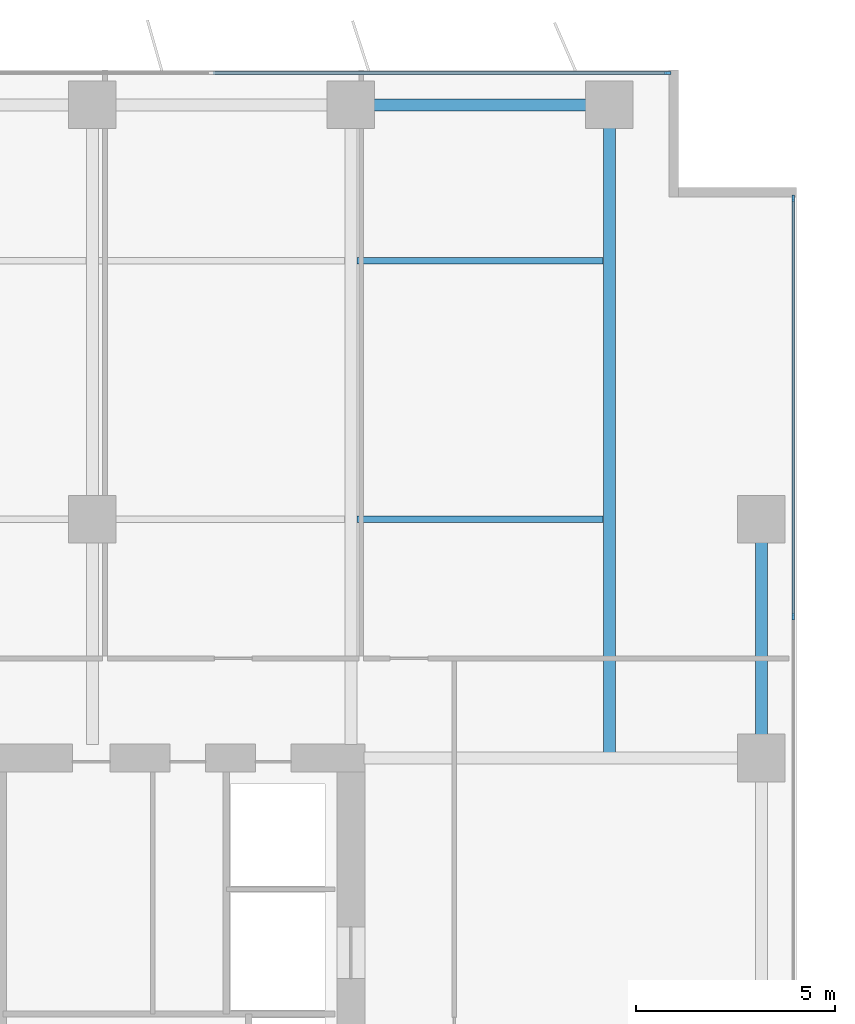
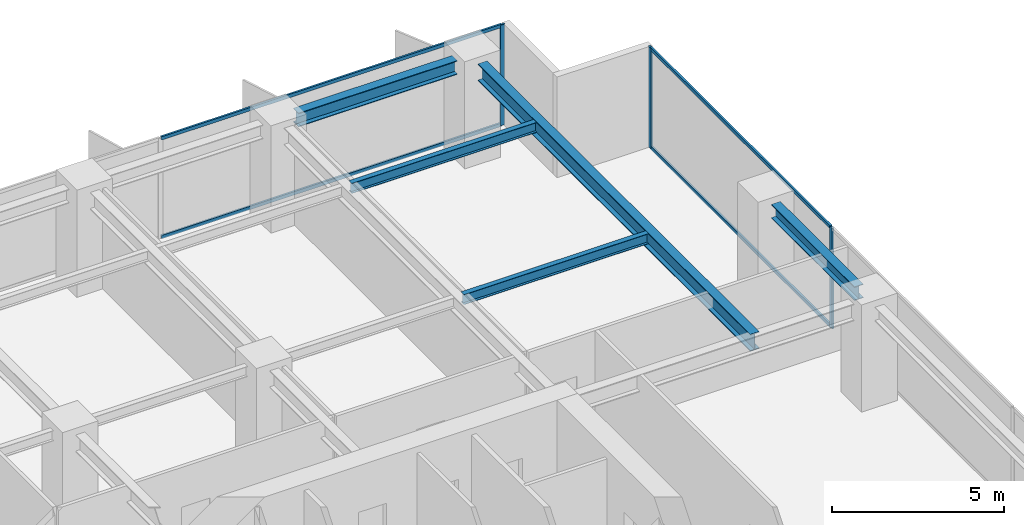
# One storey, part 11 of 20: 7 members, 5 beams, 2 elements without a shape of their own.
"""IFC4 building model written with IfcOpenShell, lengths in metres."""

from ifc_helpers import new_model, si_unit, direction, frame, origin, origin_2d, place, context, subcontext, project, spatial, rectangle, i_section, extrude, material, layer, layer_set, material_profile, profile_set, type_object, element, aggregate, save


model = new_model("IFC4")

# Units and contexts
model_context = context("Model", 3, precision=1e-05, world=origin(), true_north=direction((0.0, 1.0)))
body_context = subcontext(model_context, "Body", "Model", "MODEL_VIEW")
ifc_project = project(units=[si_unit("LENGTHUNIT", "METRE"), si_unit("AREAUNIT", "SQUARE_METRE"), si_unit("VOLUMEUNIT", "CUBIC_METRE"), si_unit("PLANEANGLEUNIT", "RADIAN"), si_unit("MASSUNIT", "GRAM", prefix="KILO")], contexts=[model_context])

# Site, building, storey
site_placement = place(None, origin())
site = spatial("IfcSite", under=ifc_project, at=site_placement, CompositionType="ELEMENT")
building_placement = place(site_placement, origin())
building = spatial("IfcBuilding", under=site, at=building_placement, Name="Putna Gate Headquarters", CompositionType="ELEMENT")
storey_placement = place(building_placement, frame((0.0, 0.0, 120.199951171875)))
storey = spatial("IfcBuildingStorey", under=building, at=storey_placement, Name="L29", CompositionType="ELEMENT", Elevation=120.199951171875)

# Beams
ifc_material_1 = material(Name="Steel S355J2", Category="steel")
ifc_material_profile_1 = material_profile(ifc_material_1, i_section(OverallWidth=0.300048828125, OverallDepth=0.60009765625, WebThickness=0.015380859375, FlangeThickness=0.030029296875, at=origin_2d()), Name="Steel S355J2")
ifc_profile_set_1 = profile_set([ifc_material_profile_1], Name="Steel S355J2")
beam_type_1 = type_object("IfcBeamType", Name="BM-GIRD-Z2-HEB600", PredefinedType="USERDEFINED", material=ifc_profile_set_1)
beam_1_placement = place(storey_placement, frame((71.5, 33.011962890625, 3.26513671875), z_axis=(0.0, 1.0, 0.0), x_axis=(-1.0, 0.0, 0.0)))
element("IfcBeam", 1, at=beam_1_placement, inside=storey, type_object=beam_type_1, Name="L29 North Primary Girder X71", ObjectType="GIRDER", PredefinedType="USERDEFINED", context=body_context, shape_type="SweptSolid", body=[
    extrude(i_section(OverallWidth=0.300048828125, OverallDepth=0.60009765625, WebThickness=0.015380859375, FlangeThickness=0.030029296875, at=origin_2d()), origin(), (0.0, 0.0, 1.0), 15.820068359375),
])
ifc_material_profile_2 = material_profile(ifc_material_1, i_section(OverallWidth=0.169921875, OverallDepth=0.360107421875, WebThickness=0.008056640625, FlangeThickness=0.0126953125, at=origin_2d()), Name="Steel S355J2")
ifc_profile_set_2 = profile_set([ifc_material_profile_2], Name="Steel S355J2")
beam_type_2 = type_object("IfcBeamType", Name="BM-SEC-Z2-IPE360", PredefinedType="BEAM", material=ifc_profile_set_2)
for number, where, z_axis, x_axis, name in (
    (2, (65.154052734375, 39.0, 3.385009765625), (1.0, 0.0, 0.0), (0.0, 1.0, 0.0), "L29 North Secondary Beam 10"),
    (3, (65.154052734375, 45.5, 3.385009765625), (1.0, 0.0, 0.0), (0.0, 1.0, 0.0), "L29 North Secondary Beam 10"),
):
    element("IfcBeam", number, at=place(storey_placement, frame(where, z_axis=z_axis, x_axis=x_axis)), inside=storey, type_object=beam_type_2, Name=name, PredefinedType="BEAM", context=body_context, shape_type="SweptSolid", body=[
        extrude(i_section(OverallWidth=0.169921875, OverallDepth=0.360107421875, WebThickness=0.008056640625, FlangeThickness=0.0126953125, at=origin_2d()), origin(), (0.0, 0.0, 1.0), 6.19189453125),
    ])
ifc_material_profile_3 = material_profile(ifc_material_1, i_section(OverallWidth=0.300048828125, OverallDepth=0.489990234375, WebThickness=0.011962890625, FlangeThickness=0.02294921875, at=origin_2d()), Name="Steel S355J2")
ifc_profile_set_3 = profile_set([ifc_material_profile_3], Name="Steel S355J2")
beam_type_3 = type_object("IfcBeamType", Name="BM-SPAN-Z2-HEA500", PredefinedType="SPANDREL", material=ifc_profile_set_3)
beam_2_placement = place(storey_placement, frame((65.587890625, 49.419921875, 3.320068359375), z_axis=(1.0, 0.0, 0.0), x_axis=(0.0, 1.0, 0.0)))
element("IfcBeam", 4, at=beam_2_placement, inside=storey, type_object=beam_type_3, Name="L29 N Perimeter Spandrel 10", PredefinedType="SPANDREL", context=body_context, shape_type="SweptSolid", body=[
    extrude(i_section(OverallWidth=0.300048828125, OverallDepth=0.489990234375, WebThickness=0.011962890625, FlangeThickness=0.02294921875, at=origin_2d()), origin(), (0.0, 0.0, 1.0), 5.32421875),
])
beam_3_placement = place(storey_placement, frame((75.320068359375, 33.587890625, 3.320068359375), z_axis=(0.0, 1.0, 0.0), x_axis=(-1.0, 0.0, 0.0)))
element("IfcBeam", 5, at=beam_3_placement, inside=storey, type_object=beam_type_3, Name="L29 E End Spandrel 3", PredefinedType="SPANDREL", context=body_context, shape_type="SweptSolid", body=[
    extrude(i_section(OverallWidth=0.300048828125, OverallDepth=0.489990234375, WebThickness=0.011962890625, FlangeThickness=0.02294921875, at=origin_2d()), origin(), (0.0, 0.0, 1.0), 4.82421875),
])

# Curtain wall, member
ifc_material_2 = material(Name="Anodised bronze aluminium curtain wall", Category="aluminium")
ifc_layer = layer(ifc_material_2, 0.159912109375)
ifc_layer_set = layer_set([ifc_layer], Name="Anodised bronze aluminium curtain wall")
curtain_wall_type = type_object("IfcCurtainWallType", Name="CW-SYS-Z2", PredefinedType="USERDEFINED", material=ifc_layer_set)
curtain_wall_1_placement = place(storey_placement, origin())
curtain_wall_1 = element("IfcCurtainWall", 6, at=curtain_wall_1_placement, inside=storey, type_object=curtain_wall_type, Name="L29 North East Curtain Wall", ObjectType="STICK CURTAIN WALL", PredefinedType="USERDEFINED")
ifc_material_3 = material(Name="Anodised bronze aluminium EN AW-6060", Category="aluminium")
ifc_material_profile_4 = material_profile(ifc_material_3, rectangle(XDim=0.06494140625, YDim=0.159912109375, at=origin_2d()), Name="Anodised bronze aluminium EN AW-6060")
ifc_profile_set_4 = profile_set([ifc_material_profile_4], Name="Anodised bronze aluminium EN AW-6060")
member_type_1 = type_object("IfcMemberType", Name="MULL-CWM-2", PredefinedType="MULLION", material=ifc_profile_set_4)
member_1_placement = place(storey_placement, frame((72.967529296875, 50.219970703125, 0.0), z_axis=(0.0, 0.0, 1.0), x_axis=(0.0, 1.0, 0.0)))
member_1 = element("IfcMember", 7, at=member_1_placement, type_object=member_type_1, Name="CWS-2 mullion 3", PredefinedType="MULLION", context=body_context, shape_type="SweptSolid", body=[
    extrude(rectangle(XDim=0.06494140625, YDim=0.159912109375, at=origin_2d()), origin(), (0.0, 0.0, 1.0), 3.56494140625),
])

# Curtain wall, members
curtain_wall_2_placement = place(storey_placement, origin())
curtain_wall_2 = element("IfcCurtainWall", 8, at=curtain_wall_2_placement, inside=storey, type_object=curtain_wall_type, Name="L29 East Curtain Wall", ObjectType="STICK CURTAIN WALL", PredefinedType="USERDEFINED")
member_2_placement = place(storey_placement, frame((76.1201171875, 36.550048828125, 0.0), z_axis=(0.0, 0.0, 1.0), x_axis=(-1.0, 0.0, 0.0)))
member_2 = element("IfcMember", 9, at=member_2_placement, type_object=member_type_1, Name="CWS-2 mullion 4", PredefinedType="MULLION", context=body_context, shape_type="SweptSolid", body=[
    extrude(rectangle(XDim=0.06494140625, YDim=0.159912109375, at=origin_2d()), origin(), (0.0, 0.0, 1.0), 3.56494140625),
])
member_3_placement = place(storey_placement, frame((76.1201171875, 47.0673828125, 0.0), z_axis=(0.0, 0.0, 1.0), x_axis=(-1.0, 0.0, 0.0)))
member_3 = element("IfcMember", 10, at=member_3_placement, type_object=member_type_1, Name="CWS-2 mullion 5", PredefinedType="MULLION", context=body_context, shape_type="SweptSolid", body=[
    extrude(rectangle(XDim=0.06494140625, YDim=0.159912109375, at=origin_2d()), origin(), (0.0, 0.0, 1.0), 3.56494140625),
])

# Member
ifc_material_profile_5 = material_profile(ifc_material_3, rectangle(XDim=0.06494140625, YDim=0.1201171875, at=origin_2d()), Name="Anodised bronze aluminium EN AW-6060")
ifc_profile_set_5 = profile_set([ifc_material_profile_5], Name="Anodised bronze aluminium EN AW-6060")
member_type_2 = type_object("IfcMemberType", Name="TRAN-CWT-2", PredefinedType="USERDEFINED", material=ifc_profile_set_5)
member_4_placement = place(storey_placement, frame((61.532470703125, 50.219970703125, 0.032470703125), z_axis=(1.0, 0.0, 0.0), x_axis=(0.0, 1.0, 0.0)))
member_4 = element("IfcMember", 11, at=member_4_placement, type_object=member_type_2, Name="CWS-2 transom 2.1", ObjectType="TRANSOM", PredefinedType="USERDEFINED", context=body_context, shape_type="SweptSolid", body=[
    extrude(rectangle(XDim=0.06494140625, YDim=0.1201171875, at=origin_2d()), origin(), (0.0, 0.0, 1.0), 11.402587890625),
])

member_5_placement = place(storey_placement, frame((61.532470703125, 50.219970703125, 3.532470703125), z_axis=(1.0, 0.0, 0.0), x_axis=(0.0, 1.0, 0.0)))
member_5 = element("IfcMember", 12, at=member_5_placement, type_object=member_type_2, Name="CWS-2 transom 2.2", ObjectType="TRANSOM", PredefinedType="USERDEFINED", context=body_context, shape_type="SweptSolid", body=[
    extrude(rectangle(XDim=0.06494140625, YDim=0.1201171875, at=origin_2d()), origin(), (0.0, 0.0, 1.0), 11.402587890625),
])

aggregate(curtain_wall_1, [member_1, member_4, member_5])

member_6_placement = place(storey_placement, frame((76.1201171875, 36.58251953125, 0.032470703125), z_axis=(0.0, 1.0, 0.0), x_axis=(-1.0, 0.0, 0.0)))
member_6 = element("IfcMember", 13, at=member_6_placement, type_object=member_type_2, Name="CWS-2 transom 4.1", ObjectType="TRANSOM", PredefinedType="USERDEFINED", context=body_context, shape_type="SweptSolid", body=[
    extrude(rectangle(XDim=0.06494140625, YDim=0.1201171875, at=origin_2d()), origin(), (0.0, 0.0, 1.0), 10.452392578125),
])

member_7_placement = place(storey_placement, frame((76.1201171875, 36.58251953125, 3.532470703125), z_axis=(0.0, 1.0, 0.0), x_axis=(-1.0, 0.0, 0.0)))
member_7 = element("IfcMember", 14, at=member_7_placement, type_object=member_type_2, Name="CWS-2 transom 4.2", ObjectType="TRANSOM", PredefinedType="USERDEFINED", context=body_context, shape_type="SweptSolid", body=[
    extrude(rectangle(XDim=0.06494140625, YDim=0.1201171875, at=origin_2d()), origin(), (0.0, 0.0, 1.0), 10.452392578125),
])

aggregate(curtain_wall_2, [member_2, member_3, member_6, member_7])

save(model, "model.ifc")
